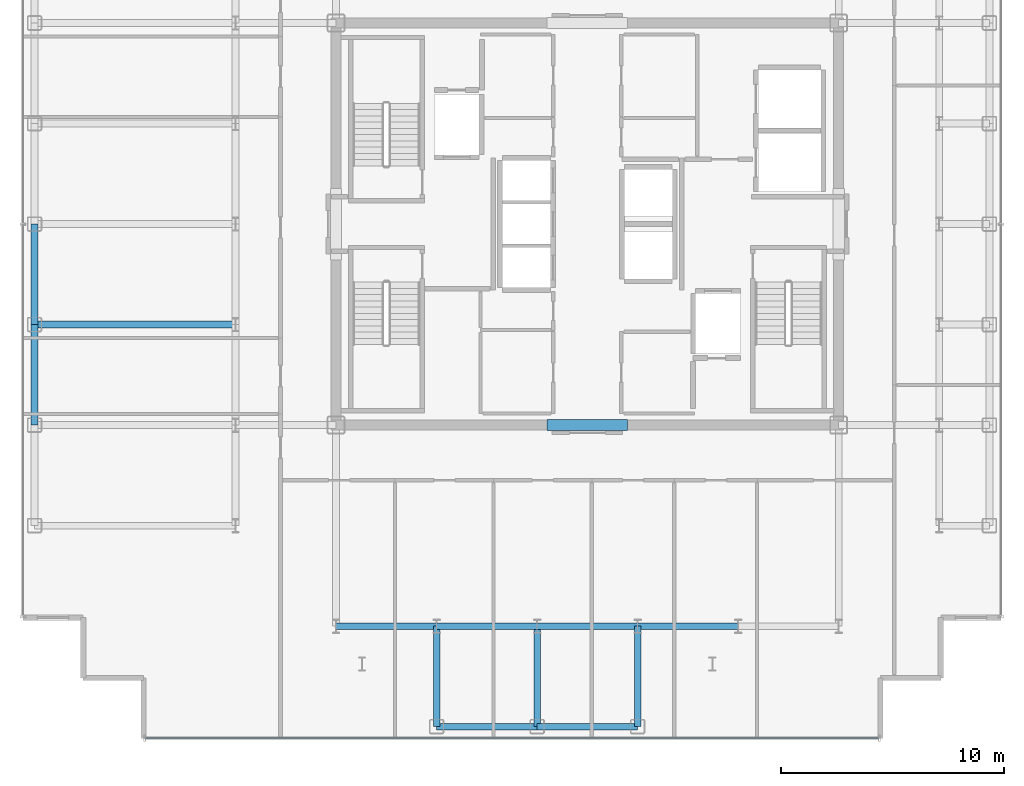
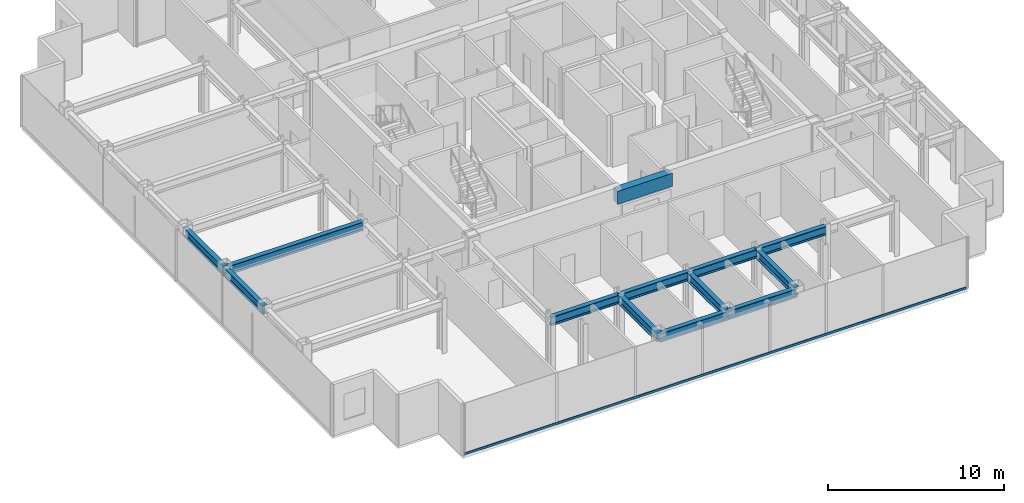
# One storey, part 3 of 18: 13 beams, 1 member, 1 element without a shape of its own.
"""IFC4 building model written with IfcOpenShell, lengths in metres."""

from ifc_helpers import new_model, si_unit, direction, frame, origin, origin_2d, place, context, subcontext, project, spatial, rectangle, hollow_rectangle, i_section, extrude, source, transform, mapped, material, layer, layer_set, material_profile, profile_set, type_object, element, aggregate, save


model = new_model("IFC4")

# Units and contexts
model_context = context("Model", 3, precision=1e-05, world=origin(), true_north=direction((0.0, 1.0)))
body_context = subcontext(model_context, "Body", "Model", "MODEL_VIEW")
ifc_project = project(units=[si_unit("LENGTHUNIT", "METRE"), si_unit("AREAUNIT", "SQUARE_METRE"), si_unit("VOLUMEUNIT", "CUBIC_METRE"), si_unit("PLANEANGLEUNIT", "RADIAN"), si_unit("MASSUNIT", "GRAM", prefix="KILO")], contexts=[model_context])

# Site, building, storey
site_placement = place(None, origin())
site = spatial("IfcSite", under=ifc_project, at=site_placement, CompositionType="ELEMENT")
building_placement = place(site_placement, origin())
building = spatial("IfcBuilding", under=site, at=building_placement, Name="Nefas-Gora Pilgrimage Tower", CompositionType="ELEMENT")
storey_placement = place(building_placement, frame((0.0, 0.0, 283.60009765625)))
storey = spatial("IfcBuildingStorey", under=building, at=storey_placement, Name="L71", CompositionType="ELEMENT", Elevation=283.60009765625)

# Beams
ifc_material_1 = material(Name="Concrete C50/60", Category="concrete")
ifc_material_profile_1 = material_profile(ifc_material_1, rectangle(XDim=0.5, YDim=0.89990234375, at=origin_2d()), Name="RC 500x900")
ifc_profile_set_1 = profile_set([ifc_material_profile_1], Name="Concrete C50/60")
beam_type_1 = type_object("IfcBeamType", Name="BM-LIN-RC900", PredefinedType="LINTEL", material=ifc_profile_set_1)
shared_shape_1 = source(origin(), body_context, "Body", "SweptSolid", [
    extrude(rectangle(XDim=0.5, YDim=0.89990234375, at=origin_2d()), origin(), (0.0, 0.0, 1.0), 3.60009765625),
])
beam_1_placement = place(storey_placement, frame((-1.800048828125, -9.0, 3.099853515625), z_axis=(1.0, 0.0, 0.0), x_axis=(0.0, 1.0, 0.0)))
element("IfcBeam", 1, at=beam_1_placement, inside=storey, type_object=beam_type_1, Name="L71 Core Coupling Lintel Beam S", PredefinedType="LINTEL", context=body_context, shape_type="MappedRepresentation", body=[
    mapped(shared_shape_1, transform((0.0, 0.0, 0.0), x_axis=(1.0, 0.0, 0.0), y_axis=(0.0, 1.0, 0.0), z_axis=(0.0, 0.0, 1.0), scale=1.0)),
])
ifc_material_2 = material(Name="Steel S355", Category="steel")
ifc_material_profile_2 = material_profile(ifc_material_2, i_section(OverallWidth=0.300048828125, OverallDepth=0.60009765625, WebThickness=0.015380859375, FlangeThickness=0.030029296875, FilletRadius=0.027099609375, at=origin_2d()), Name="HEB 600")
ifc_profile_set_2 = profile_set([ifc_material_profile_2], Name="Steel S355")
beam_type_2 = type_object("IfcBeamType", Name="BM-SPN-HEB450", PredefinedType="SPANDREL", material=ifc_profile_set_2)
shared_shape_2 = source(origin(), body_context, "Body", "SweptSolid", [
    extrude(i_section(OverallWidth=0.300048828125, OverallDepth=0.60009765625, WebThickness=0.015380859375, FlangeThickness=0.030029296875, FilletRadius=0.027099609375, at=origin_2d()), origin(), (0.0, 0.0, 1.0), 4.5),
])
for number, where, z_axis, x_axis, name in (
    (2, (-24.75, -9.0, 3.25), (0.0, 1.0, 0.0), (-1.0, 0.0, 0.0), "L71 SP-03 beam"),
    (3, (-24.75, -4.5, 3.25), (0.0, 1.0, 0.0), (-1.0, 0.0, 0.0), "L71 SP-03 beam"),
    (4, (-6.75, -22.5, 3.25), (1.0, 0.0, 0.0), (0.0, 1.0, 0.0), "L71 SP-03 beam"),
    (5, (-2.25, -22.5, 3.25), (1.0, 0.0, 0.0), (0.0, 1.0, 0.0), "L71 SP-03 beam"),
):
    element("IfcBeam", number, at=place(storey_placement, frame(where, z_axis=z_axis, x_axis=x_axis)), inside=storey, type_object=beam_type_2, Name=name, PredefinedType="SPANDREL", context=body_context, shape_type="MappedRepresentation", body=[
        mapped(shared_shape_2, transform((0.0, 0.0, 0.0), x_axis=(1.0, 0.0, 0.0), y_axis=(0.0, 1.0, 0.0), z_axis=(0.0, 0.0, 1.0), scale=1.0)),
    ])
ifc_material_profile_3 = material_profile(ifc_material_2, i_section(OverallWidth=0.300048828125, OverallDepth=0.60009765625, WebThickness=0.015380859375, FlangeThickness=0.030029296875, FilletRadius=0.027099609375, at=origin_2d()), Name="HEB 600")
ifc_profile_set_3 = profile_set([ifc_material_profile_3], Name="Steel S355")
beam_type_3 = type_object("IfcBeamType", Name="BM-GIR-HEB600", PredefinedType="BEAM", material=ifc_profile_set_3)
shared_shape_3 = source(origin(), body_context, "Body", "SweptSolid", [
    extrude(i_section(OverallWidth=0.300048828125, OverallDepth=0.60009765625, WebThickness=0.015380859375, FlangeThickness=0.030029296875, FilletRadius=0.027099609375, at=origin_2d()), origin(), (0.0, 0.0, 1.0), 9.0),
])
beam_2_placement = place(storey_placement, frame((-24.75, -4.5, 3.25), z_axis=(1.0, 0.0, 0.0), x_axis=(0.0, 1.0, 0.0)))
element("IfcBeam", 6, at=beam_2_placement, inside=storey, type_object=beam_type_3, Name="L71 G-04 beam", PredefinedType="BEAM", context=body_context, shape_type="MappedRepresentation", body=[
    mapped(shared_shape_3, transform((0.0, 0.0, 0.0), x_axis=(1.0, 0.0, 0.0), y_axis=(0.0, 1.0, 0.0), z_axis=(0.0, 0.0, 1.0), scale=1.0)),
])
shared_shape_4 = source(origin(), body_context, "Body", "SweptSolid", [
    extrude(i_section(OverallWidth=0.300048828125, OverallDepth=0.60009765625, WebThickness=0.015380859375, FlangeThickness=0.030029296875, FilletRadius=0.027099609375, at=origin_2d()), origin(), (0.0, 0.0, 1.0), 4.5),
])
for number, where, z_axis, x_axis, name in (
    (7, (-11.25, -18.0, 3.25), (1.0, 0.0, 0.0), (0.0, 1.0, 0.0), "L71 G-04 beam"),
    (8, (-6.75, -22.5, 3.25), (0.0, 1.0, 0.0), (-1.0, 0.0, 0.0), "L71 G-04 beam"),
    (9, (-6.75, -18.0, 3.25), (1.0, 0.0, 0.0), (0.0, 1.0, 0.0), "L71 G-04 beam"),
    (10, (-2.25, -22.5, 3.25), (0.0, 1.0, 0.0), (-1.0, 0.0, 0.0), "L71 G-04 beam"),
    (11, (-2.25, -18.0, 3.25), (1.0, 0.0, 0.0), (0.0, 1.0, 0.0), "L71 G-04 beam"),
    (12, (2.25, -22.5, 3.25), (0.0, 1.0, 0.0), (-1.0, 0.0, 0.0), "L71 G-04 beam"),
    (13, (2.25, -18.0, 3.25), (1.0, 0.0, 0.0), (0.0, 1.0, 0.0), "L71 G-04 beam"),
):
    element("IfcBeam", number, at=place(storey_placement, frame(where, z_axis=z_axis, x_axis=x_axis)), inside=storey, type_object=beam_type_3, Name=name, PredefinedType="BEAM", context=body_context, shape_type="MappedRepresentation", body=[
        mapped(shared_shape_4, transform((0.0, 0.0, 0.0), x_axis=(1.0, 0.0, 0.0), y_axis=(0.0, 1.0, 0.0), z_axis=(0.0, 0.0, 1.0), scale=1.0)),
    ])

# Curtain wall, member
ifc_material_3 = material(Name="Dark ceramic-fritted solar-control aluminium-glass curtain wall", Category="aluminium")
ifc_layer = layer(ifc_material_3, 0.219970703125)
ifc_layer_set = layer_set([ifc_layer], Name="Dark ceramic-fritted solar-control aluminium-glass curtain wall")
curtain_wall_type = type_object("IfcCurtainWallType", Name="CW-SYS-4", PredefinedType="NOTDEFINED", material=ifc_layer_set)
curtain_wall_placement = place(storey_placement, origin())
curtain_wall = element("IfcCurtainWall", 14, at=curtain_wall_placement, inside=storey, type_object=curtain_wall_type, Name="L71 Unitised Curtain Wall CW4", PredefinedType="NOTDEFINED")
ifc_material_4 = material(Name="Anodised architectural aluminium", Category="aluminium")
ifc_material_profile_4 = material_profile(ifc_material_4, hollow_rectangle(XDim=0.080078125, YDim=0.159912109375, WallThickness=0.00439453125, InnerFilletRadius=0.00439453125, OuterFilletRadius=0.009033203125, at=origin_2d()), Name="ALU TRANSOM 80x160")
ifc_profile_set_4 = profile_set([ifc_material_profile_4], Name="Anodised architectural aluminium")
member_type = type_object("IfcMemberType", Name="CWM-TRN-4", PredefinedType="USERDEFINED", material=ifc_profile_set_4)
shared_shape_5 = source(origin(), body_context, "Body", "SweptSolid", [
    extrude(hollow_rectangle(XDim=0.080078125, YDim=0.159912109375, WallThickness=0.00439453125, InnerFilletRadius=0.00439453125, OuterFilletRadius=0.009033203125, at=origin_2d()), origin(), (0.0, 0.0, 1.0), 32.81005859375),
])
member_placement = place(storey_placement, frame((-19.780029296875, -23.02001953125, 0.0498046875), z_axis=(1.0, 0.0, 0.0), x_axis=(0.0, 1.0, 0.0)))
member = element("IfcMember", 15, at=member_placement, type_object=member_type, Name="CW4 Spandrel Transom", ObjectType="TRANSOM", PredefinedType="USERDEFINED", context=body_context, shape_type="MappedRepresentation", body=[
    mapped(shared_shape_5, transform((0.0, 0.0, 0.0), x_axis=(1.0, 0.0, 0.0), y_axis=(0.0, 1.0, 0.0), z_axis=(0.0, 0.0, 1.0), scale=1.0)),
])
aggregate(curtain_wall, [member])

save(model, "model.ifc")
